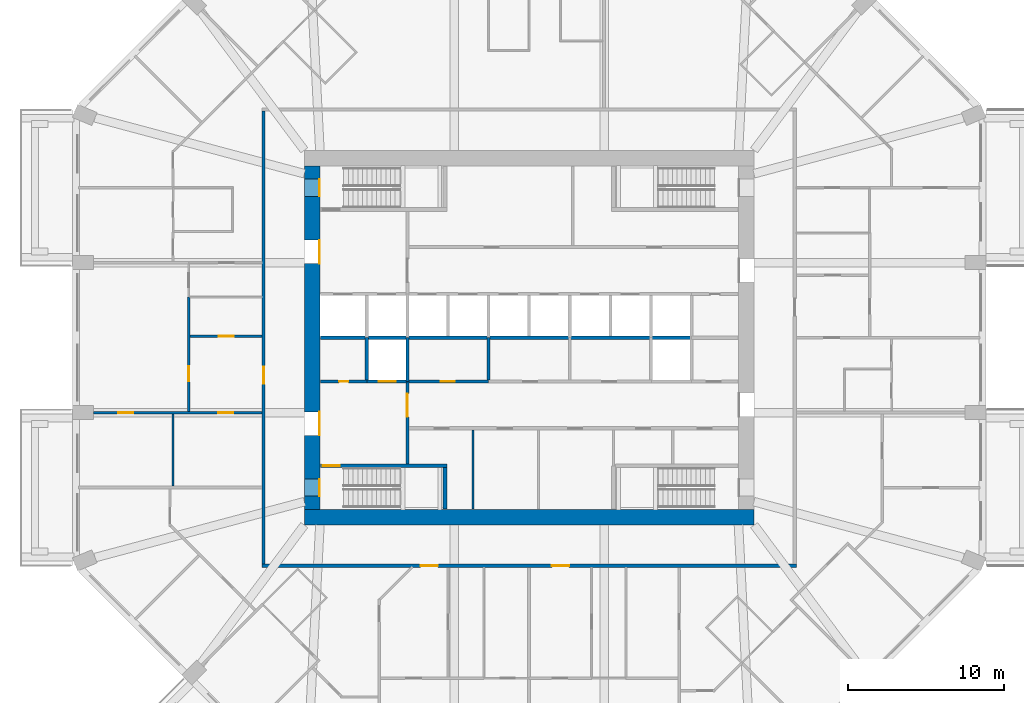
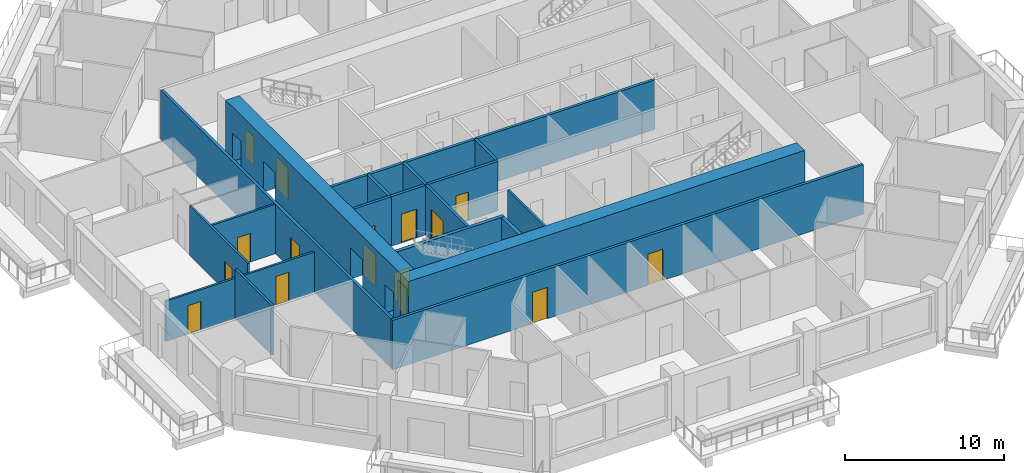
# One storey, part 4 of 13: 19 walls, 16 doors, 16 openings.
"""IFC4 building model written with IfcOpenShell, lengths in metres."""

from ifc_helpers import new_model, si_unit, direction, frame, frame_2d, origin, place, context, subcontext, project, spatial, rectangle, extrude, material, layer, layer_set, type_object, element, fill, save


model = new_model("IFC4")

# Units and contexts
model_context = context("Model", 3, precision=1e-05, world=origin(), true_north=direction((0.0, 1.0)))
body_context = subcontext(model_context, "Body", "Model", "MODEL_VIEW")
ifc_project = project(units=[si_unit("LENGTHUNIT", "METRE"), si_unit("AREAUNIT", "SQUARE_METRE"), si_unit("VOLUMEUNIT", "CUBIC_METRE"), si_unit("PLANEANGLEUNIT", "RADIAN"), si_unit("MASSUNIT", "GRAM", prefix="KILO")], contexts=[model_context])

# Site, building, storey
site_placement = place(None, origin())
site = spatial("IfcSite", under=ifc_project, at=site_placement, CompositionType="ELEMENT")
building_placement = place(site_placement, origin())
building = spatial("IfcBuilding", under=site, at=building_placement, Name="Msitu Wima Residences", CompositionType="ELEMENT")
storey_placement = place(building_placement, frame((0.0, 0.0, 92.699951171875)))
storey = spatial("IfcBuildingStorey", under=building, at=storey_placement, Name="L21", CompositionType="ELEMENT", Elevation=92.699951171875)

# Wall
ifc_material_1 = material(Name="Concrete C80/95", Category="concrete")
ifc_layer_1 = layer(ifc_material_1, 1.0)
ifc_layer_set_1 = layer_set([ifc_layer_1], Name="Concrete C80/95")
wall_type_1 = type_object("IfcWallType", Name="Core wall CW1000 C80/95", PredefinedType="SHEAR", material=ifc_layer_set_1)
wall_1_placement = place(storey_placement, frame((-14.39990234375, -11.5, 0.0), z_axis=(0.0, 0.0, 1.0), x_axis=(1.0, 0.0, 0.0)))
element("IfcWall", 1, at=wall_1_placement, inside=storey, type_object=wall_type_1, Name="Core wall", PredefinedType="SHEAR", context=body_context, shape_type="SweptSolid", body=[
    extrude(rectangle(XDim=28.7998046875, YDim=1.0, at=frame_2d((14.39990234375, 0.0))), origin(), (0.0, 0.0, 1.0), 4.199951171875),
])

# Wall, openings, doors
wall_2_placement = place(storey_placement, frame((-13.89990234375, -11.0, 0.0), z_axis=(0.0, 0.0, 1.0), x_axis=(0.0, 1.0, 0.0)))
wall_2 = element("IfcWall", 2, at=wall_2_placement, inside=storey, type_object=wall_type_1, Name="Core wall", PredefinedType="SHEAR", context=body_context, shape_type="SweptSolid", body=[
    extrude(rectangle(XDim=22.0, YDim=1.0, at=frame_2d((11.0, 0.0))), origin(), (0.0, 0.0, 1.0), 4.199951171875),
])
opening_1_placement = place(wall_2_placement, frame((20.050048828125, 0.0, 0.0)))
opening_1 = element("IfcOpeningElement", 3, at=opening_1_placement, cuts=wall_2, Name="Opening D21.034", PredefinedType="OPENING", context=body_context, shape_type="SweptSolid", body=[
    extrude(rectangle(XDim=1.10009765625, YDim=2.199951171875, at=frame_2d((0.550048828125, 1.10009765625))), frame((0.0, 0.510009765625, 0.0), z_axis=(0.0, -1.0, 0.0), x_axis=(1.0, 0.0, 0.0)), (0.0, 0.0, 1.0), 1.02001953125),
])
opening_2_placement = place(wall_2_placement, frame((0.85009765625, 0.0, 0.0)))
opening_2 = element("IfcOpeningElement", 4, at=opening_2_placement, cuts=wall_2, Name="Opening D21.036", PredefinedType="OPENING", context=body_context, shape_type="SweptSolid", body=[
    extrude(rectangle(XDim=1.10009765625, YDim=2.199951171875, at=frame_2d((0.550048828125, 1.10009765625))), frame((0.0, 0.510009765625, 0.0), z_axis=(0.0, -1.0, 0.0), x_axis=(1.0, 0.0, 0.0)), (0.0, 0.0, 1.0), 1.02001953125),
])
opening_3_placement = place(wall_2_placement, frame((15.75, 0.0, 0.0)))
opening_3 = element("IfcOpeningElement", 5, at=opening_3_placement, cuts=wall_2, Name="Opening D21.016", PredefinedType="OPENING", context=body_context, shape_type="SweptSolid", body=[
    extrude(rectangle(XDim=1.5, YDim=2.39990234375, at=frame_2d((0.75, 1.199951171875))), frame((0.0, 0.510009765625, 0.0), z_axis=(0.0, -1.0, 0.0), x_axis=(1.0, 0.0, 0.0)), (0.0, 0.0, 1.0), 1.02001953125),
])
opening_4_placement = place(wall_2_placement, frame((4.75, 0.0, 0.0)))
opening_4 = element("IfcOpeningElement", 6, at=opening_4_placement, cuts=wall_2, Name="Opening D21.018", PredefinedType="OPENING", context=body_context, shape_type="SweptSolid", body=[
    extrude(rectangle(XDim=1.5, YDim=2.39990234375, at=frame_2d((0.75, 1.199951171875))), frame((0.0, 0.510009765625, 0.0), z_axis=(0.0, -1.0, 0.0), x_axis=(1.0, 0.0, 0.0)), (0.0, 0.0, 1.0), 1.02001953125),
])
ifc_material_2 = material(Name="Steel framed glazed door, fire resisting", Category="steel")
door_type_1 = type_object("IfcDoorType", Name="Lobby door D07 1500x2400", OperationType="DOUBLE_DOOR_SINGLE_SWING", PredefinedType="DOOR", material=ifc_material_2)
door_1_placement = place(opening_3_placement, origin())
door_1 = element("IfcDoor", 7, at=door_1_placement, inside=storey, type_object=door_type_1, Name="Lobby door", OperationType="DOUBLE_DOOR_SINGLE_SWING", OverallHeight=2.39990234375, OverallWidth=1.5, PredefinedType="DOOR", context=body_context, shape_type="SweptSolid", body=[
    extrude(rectangle(XDim=1.5, YDim=2.39990234375, at=frame_2d((0.75, 1.199951171875))), frame((0.0, -0.44482421875, 0.0), z_axis=(0.0, -1.0, 0.0), x_axis=(1.0, 0.0, 0.0)), (0.0, 0.0, 1.0), 0.050048828125),
])
fill(opening_3, door_1)
door_2_placement = place(opening_4_placement, origin())
door_2 = element("IfcDoor", 8, at=door_2_placement, inside=storey, type_object=door_type_1, Name="Lobby door", OperationType="DOUBLE_DOOR_SINGLE_SWING", OverallHeight=2.39990234375, OverallWidth=1.5, PredefinedType="DOOR", context=body_context, shape_type="SweptSolid", body=[
    extrude(rectangle(XDim=1.5, YDim=2.39990234375, at=frame_2d((0.75, 1.199951171875))), frame((0.0, -0.44482421875, 0.0), z_axis=(0.0, -1.0, 0.0), x_axis=(1.0, 0.0, 0.0)), (0.0, 0.0, 1.0), 0.050048828125),
])
fill(opening_4, door_2)
ifc_material_3 = material(Name="Steel door, fire resisting, panic bar", Category="steel")
door_type_2 = type_object("IfcDoorType", Name="Stair door D06 1100x2200", OperationType="SINGLE_SWING_LEFT", PredefinedType="DOOR", material=ifc_material_3)
door_3_placement = place(opening_1_placement, origin())
door_3 = element("IfcDoor", 9, at=door_3_placement, inside=storey, type_object=door_type_2, Name="Stair door", OperationType="SINGLE_SWING_RIGHT", OverallHeight=2.199951171875, OverallWidth=1.10009765625, PredefinedType="DOOR", context=body_context, shape_type="SweptSolid", body=[
    extrude(rectangle(XDim=1.10009765625, YDim=2.199951171875, at=frame_2d((0.550048828125, 1.10009765625))), frame((0.0, -0.44482421875, 0.0), z_axis=(0.0, -1.0, 0.0), x_axis=(1.0, 0.0, 0.0)), (0.0, 0.0, 1.0), 0.050048828125),
])
fill(opening_1, door_3)
door_4_placement = place(opening_2_placement, origin())
door_4 = element("IfcDoor", 10, at=door_4_placement, inside=storey, type_object=door_type_2, Name="Stair door", OperationType="SINGLE_SWING_LEFT", OverallHeight=2.199951171875, OverallWidth=1.10009765625, PredefinedType="DOOR", context=body_context, shape_type="SweptSolid", body=[
    extrude(rectangle(XDim=1.10009765625, YDim=2.199951171875, at=frame_2d((0.550048828125, 1.10009765625))), frame((0.0, -0.44482421875, 0.0), z_axis=(0.0, -1.0, 0.0), x_axis=(1.0, 0.0, 0.0)), (0.0, 0.0, 1.0), 0.050048828125),
])
fill(opening_2, door_4)

# Wall, opening, door
ifc_material_4 = material(Name="Plaster")
ifc_layer_2 = layer(ifc_material_4, 0.011962890625, Name="Plaster")
ifc_material_5 = material(Name="Concrete blockwork", Category="masonry")
ifc_layer_3 = layer(ifc_material_5, 0.176025390625, Name="Concrete blockwork")
ifc_layer_4 = layer(ifc_material_4, 0.011962890625, Name="Plaster")
ifc_layer_set_2 = layer_set([ifc_layer_2, ifc_layer_3, ifc_layer_4], Name="Concrete blockwork")
wall_type_2 = type_object("IfcWallType", Name="Corridor wall FW200", PredefinedType="PARTITIONING", material=ifc_layer_set_2)
wall_3_placement = place(storey_placement, frame((-17.0, -14.5, 0.0), z_axis=(0.0, 0.0, 1.0), x_axis=(0.0, 1.0, 0.0)))
wall_3 = element("IfcWall", 11, at=wall_3_placement, inside=storey, type_object=wall_type_2, Name="Corridor wall", PredefinedType="PARTITIONING", context=body_context, shape_type="SweptSolid", body=[
    extrude(rectangle(XDim=29.0, YDim=0.199951171875, at=frame_2d((14.5, 0.0))), origin(), (0.0, 0.0, 1.0), 3.798095703125),
])
opening_5_placement = place(wall_3_placement, frame((11.550048828125, 0.0, 0.0)))
opening_5 = element("IfcOpeningElement", 12, at=opening_5_placement, cuts=wall_3, Name="Opening D21.012", PredefinedType="OPENING", context=body_context, shape_type="SweptSolid", body=[
    extrude(rectangle(XDim=1.10009765625, YDim=2.39990234375, at=frame_2d((0.550048828125, 1.199951171875))), frame((0.0, 0.10986328125, 0.0), z_axis=(0.0, -1.0, 0.0), x_axis=(1.0, 0.0, 0.0)), (0.0, 0.0, 1.0), 0.219970703125),
])
ifc_material_6 = material(Name="Timber flush door, fire resisting, self-closing", Category="wood")
door_type_3 = type_object("IfcDoorType", Name="Flat entrance door D01 1100x2400", OperationType="SINGLE_SWING_LEFT", PredefinedType="DOOR", material=ifc_material_6)
door_5_placement = place(opening_5_placement, origin())
door_5 = element("IfcDoor", 13, at=door_5_placement, inside=storey, type_object=door_type_3, Name="Flat entrance door", OperationType="SINGLE_SWING_LEFT", OverallHeight=2.39990234375, OverallWidth=1.10009765625, PredefinedType="DOOR", context=body_context, shape_type="SweptSolid", body=[
    extrude(rectangle(XDim=1.10009765625, YDim=2.39990234375, at=frame_2d((0.550048828125, 1.199951171875))), frame((0.0, 0.02490234375, 0.0), z_axis=(0.0, -1.0, 0.0), x_axis=(1.0, 0.0, 0.0)), (0.0, 0.0, 1.0), 0.050048828125),
])
fill(opening_5, door_5)

# Wall, openings, doors
wall_4_placement = place(storey_placement, frame((-17.10009765625, -14.60009765625, 0.0), z_axis=(0.0, 0.0, 1.0), x_axis=(1.0, 0.0, 0.0)))
wall_4 = element("IfcWall", 14, at=wall_4_placement, inside=storey, type_object=wall_type_2, Name="Corridor wall", PredefinedType="PARTITIONING", context=body_context, shape_type="SweptSolid", body=[
    extrude(rectangle(XDim=34.2001953125, YDim=0.199951171875, at=frame_2d((17.10009765625, 0.0))), origin(), (0.0, 0.0, 1.0), 3.798095703125),
])
opening_6_placement = place(wall_4_placement, frame((10.14990234375, 0.0, 0.0)))
opening_6 = element("IfcOpeningElement", 15, at=opening_6_placement, cuts=wall_4, Name="Opening D21.013", PredefinedType="OPENING", context=body_context, shape_type="SweptSolid", body=[
    extrude(rectangle(XDim=1.10009765625, YDim=2.39990234375, at=frame_2d((0.550048828125, 1.199951171875))), frame((0.0, 0.10986328125, 0.0), z_axis=(0.0, -1.0, 0.0), x_axis=(1.0, 0.0, 0.0)), (0.0, 0.0, 1.0), 0.219970703125),
])
opening_7_placement = place(wall_4_placement, frame((18.550048828125, 0.0, 0.0)))
opening_7 = element("IfcOpeningElement", 16, at=opening_7_placement, cuts=wall_4, Name="Opening D21.014", PredefinedType="OPENING", context=body_context, shape_type="SweptSolid", body=[
    extrude(rectangle(XDim=1.10009765625, YDim=2.39990234375, at=frame_2d((0.550048828125, 1.199951171875))), frame((0.0, 0.10986328125, 0.0), z_axis=(0.0, -1.0, 0.0), x_axis=(1.0, 0.0, 0.0)), (0.0, 0.0, 1.0), 0.219970703125),
])
door_6_placement = place(opening_6_placement, origin())
door_6 = element("IfcDoor", 17, at=door_6_placement, inside=storey, type_object=door_type_3, Name="Flat entrance door", OperationType="SINGLE_SWING_RIGHT", OverallHeight=2.39990234375, OverallWidth=1.10009765625, PredefinedType="DOOR", context=body_context, shape_type="SweptSolid", body=[
    extrude(rectangle(XDim=1.10009765625, YDim=2.39990234375, at=frame_2d((0.550048828125, 1.199951171875))), frame((0.0, 0.02490234375, 0.0), z_axis=(0.0, -1.0, 0.0), x_axis=(1.0, 0.0, 0.0)), (0.0, 0.0, 1.0), 0.050048828125),
])
fill(opening_6, door_6)
door_7_placement = place(opening_7_placement, origin())
door_7 = element("IfcDoor", 18, at=door_7_placement, inside=storey, type_object=door_type_3, Name="Flat entrance door", OperationType="SINGLE_SWING_RIGHT", OverallHeight=2.39990234375, OverallWidth=1.10009765625, PredefinedType="DOOR", context=body_context, shape_type="SweptSolid", body=[
    extrude(rectangle(XDim=1.10009765625, YDim=2.39990234375, at=frame_2d((0.550048828125, 1.199951171875))), frame((0.0, 0.02490234375, 0.0), z_axis=(0.0, -1.0, 0.0), x_axis=(1.0, 0.0, 0.0)), (0.0, 0.0, 1.0), 0.050048828125),
])
fill(opening_7, door_7)

# Wall, opening, door
wall_5_placement = place(storey_placement, frame((-7.800048828125, -8.074951171875, 0.0), z_axis=(0.0, 0.0, 1.0), x_axis=(0.0, 1.0, 0.0)))
wall_5 = element("IfcWall", 19, at=wall_5_placement, inside=storey, type_object=wall_type_2, Name="Corridor wall", PredefinedType="PARTITIONING", context=body_context, shape_type="SweptSolid", body=[
    extrude(rectangle(XDim=5.27490234375, YDim=0.199951171875, at=frame_2d((2.637451171875, 0.0))), origin(), (0.0, 0.0, 1.0), 3.798095703125),
])
opening_8_placement = place(wall_5_placement, frame((3.0, 0.0, 0.0)))
opening_8 = element("IfcOpeningElement", 20, at=opening_8_placement, cuts=wall_5, Name="Opening D21.019", PredefinedType="OPENING", context=body_context, shape_type="SweptSolid", body=[
    extrude(rectangle(XDim=1.5, YDim=2.39990234375, at=frame_2d((0.75, 1.199951171875))), frame((0.0, 0.10986328125, 0.0), z_axis=(0.0, -1.0, 0.0), x_axis=(1.0, 0.0, 0.0)), (0.0, 0.0, 1.0), 0.219970703125),
])
door_8_placement = place(opening_8_placement, origin())
door_8 = element("IfcDoor", 21, at=door_8_placement, inside=storey, type_object=door_type_1, Name="Lobby door", OperationType="DOUBLE_DOOR_SINGLE_SWING", OverallHeight=2.39990234375, OverallWidth=1.5, PredefinedType="DOOR", context=body_context, shape_type="SweptSolid", body=[
    extrude(rectangle(XDim=1.5, YDim=2.39990234375, at=frame_2d((0.75, 1.199951171875))), frame((0.0, 0.02490234375, 0.0), z_axis=(0.0, -1.0, 0.0), x_axis=(1.0, 0.0, 0.0)), (0.0, 0.0, 1.0), 0.050048828125),
])
fill(opening_8, door_8)

# Wall, openings, doors
ifc_layer_5 = layer(ifc_material_4, 0.011962890625, Name="Plaster")
ifc_layer_6 = layer(ifc_material_5, 0.1259765625, Name="Concrete blockwork")
ifc_layer_7 = layer(ifc_material_4, 0.011962890625, Name="Plaster")
ifc_layer_set_3 = layer_set([ifc_layer_5, ifc_layer_6, ifc_layer_7], Name="Concrete blockwork")
wall_type_3 = type_object("IfcWallType", Name="Partition PW150", PredefinedType="PARTITIONING", material=ifc_layer_set_3)
wall_6_placement = place(storey_placement, frame((-27.89990234375, -4.800048828125, 0.0), z_axis=(0.0, 0.0, 1.0), x_axis=(1.0, 0.0, 0.0)))
wall_6 = element("IfcWall", 22, at=wall_6_placement, inside=storey, type_object=wall_type_3, Name="Partition", PredefinedType="PARTITIONING", context=body_context, shape_type="SweptSolid", body=[
    extrude(rectangle(XDim=10.7998046875, YDim=0.14990234375, at=frame_2d((5.39990234375, 0.0))), origin(), (0.0, 0.0, 1.0), 3.10009765625),
])
opening_9_placement = place(wall_6_placement, frame((8.0, 0.0, 0.0)))
opening_9 = element("IfcOpeningElement", 23, at=opening_9_placement, cuts=wall_6, Name="Opening D21.046", PredefinedType="OPENING", context=body_context, shape_type="SweptSolid", body=[
    extrude(rectangle(XDim=0.949951171875, YDim=2.199951171875, at=frame_2d((0.47509765625, 1.10009765625))), frame((0.0, 0.0849609375, 0.0), z_axis=(0.0, -1.0, 0.0), x_axis=(1.0, 0.0, 0.0)), (0.0, 0.0, 1.0), 0.169921875),
])
opening_10_placement = place(wall_6_placement, frame((1.60009765625, 0.0, 0.0)))
opening_10 = element("IfcOpeningElement", 24, at=opening_10_placement, cuts=wall_6, Name="Opening D21.048", PredefinedType="OPENING", context=body_context, shape_type="SweptSolid", body=[
    extrude(rectangle(XDim=0.949951171875, YDim=2.199951171875, at=frame_2d((0.47509765625, 1.10009765625))), frame((0.0, 0.0849609375, 0.0), z_axis=(0.0, -1.0, 0.0), x_axis=(1.0, 0.0, 0.0)), (0.0, 0.0, 1.0), 0.169921875),
])
ifc_material_7 = material(Name="Timber flush door", Category="wood")
door_type_4 = type_object("IfcDoorType", Name="Room door D12 950x2200", OperationType="SINGLE_SWING_LEFT", PredefinedType="DOOR", material=ifc_material_7)
door_9_placement = place(opening_9_placement, origin())
door_9 = element("IfcDoor", 25, at=door_9_placement, inside=storey, type_object=door_type_4, Name="Room door", OperationType="SINGLE_SWING_LEFT", OverallHeight=2.199951171875, OverallWidth=0.949951171875, PredefinedType="DOOR", context=body_context, shape_type="SweptSolid", body=[
    extrude(rectangle(XDim=0.949951171875, YDim=2.199951171875, at=frame_2d((0.47509765625, 1.10009765625))), frame((0.0, 0.02490234375, 0.0), z_axis=(0.0, -1.0, 0.0), x_axis=(1.0, 0.0, 0.0)), (0.0, 0.0, 1.0), 0.050048828125),
])
fill(opening_9, door_9)
door_10_placement = place(opening_10_placement, origin())
door_10 = element("IfcDoor", 26, at=door_10_placement, inside=storey, type_object=door_type_4, Name="Room door", OperationType="SINGLE_SWING_LEFT", OverallHeight=2.199951171875, OverallWidth=0.949951171875, PredefinedType="DOOR", context=body_context, shape_type="SweptSolid", body=[
    extrude(rectangle(XDim=0.949951171875, YDim=2.199951171875, at=frame_2d((0.47509765625, 1.10009765625))), frame((0.0, 0.02490234375, 0.0), z_axis=(0.0, -1.0, 0.0), x_axis=(1.0, 0.0, 0.0)), (0.0, 0.0, 1.0), 0.050048828125),
])
fill(opening_10, door_10)

# Wall
wall_7_placement = place(storey_placement, frame((-22.800048828125, -9.5, 0.0), z_axis=(0.0, 0.0, 1.0), x_axis=(0.0, 1.0, 0.0)))
element("IfcWall", 27, at=wall_7_placement, inside=storey, type_object=wall_type_3, Name="Partition", PredefinedType="PARTITIONING", context=body_context, shape_type="SweptSolid", body=[
    extrude(rectangle(XDim=4.625, YDim=0.14990234375, at=frame_2d((2.3125, 0.0))), origin(), (0.0, 0.0, 1.0), 3.798095703125),
])

# Wall, opening, door
wall_8_placement = place(storey_placement, frame((-21.800048828125, -4.72509765625, 0.0), z_axis=(0.0, 0.0, 1.0), x_axis=(0.0, 1.0, 0.0)))
wall_8 = element("IfcWall", 28, at=wall_8_placement, inside=storey, type_object=wall_type_3, Name="Partition", PredefinedType="PARTITIONING", context=body_context, shape_type="SweptSolid", body=[
    extrude(rectangle(XDim=7.34521484375, YDim=0.14990234375, at=frame_2d((3.672607421875, 0.0))), origin(), (0.0, 0.0, 1.0), 3.798095703125),
])
opening_11_placement = place(wall_8_placement, frame((1.949951171875, 0.0, 0.0)))
opening_11 = element("IfcOpeningElement", 29, at=opening_11_placement, cuts=wall_8, Name="Opening D21.045", PredefinedType="OPENING", context=body_context, shape_type="SweptSolid", body=[
    extrude(rectangle(XDim=0.949951171875, YDim=2.199951171875, at=frame_2d((0.47509765625, 1.10009765625))), frame((0.0, 0.0849609375, 0.0), z_axis=(0.0, -1.0, 0.0), x_axis=(1.0, 0.0, 0.0)), (0.0, 0.0, 1.0), 0.169921875),
])
door_11_placement = place(opening_11_placement, origin())
door_11 = element("IfcDoor", 30, at=door_11_placement, inside=storey, type_object=door_type_4, Name="Room door", OperationType="SINGLE_SWING_LEFT", OverallHeight=2.199951171875, OverallWidth=0.949951171875, PredefinedType="DOOR", context=body_context, shape_type="SweptSolid", body=[
    extrude(rectangle(XDim=0.949951171875, YDim=2.199951171875, at=frame_2d((0.47509765625, 1.10009765625))), frame((0.0, 0.02490234375, 0.0), z_axis=(0.0, -1.0, 0.0), x_axis=(1.0, 0.0, 0.0)), (0.0, 0.0, 1.0), 0.050048828125),
])
fill(opening_11, door_11)

wall_9_placement = place(storey_placement, frame((-21.72509765625, 0.10009765625, 0.0), z_axis=(0.0, 0.0, 1.0), x_axis=(1.0, 0.0, 0.0)))
wall_9 = element("IfcWall", 31, at=wall_9_placement, inside=storey, type_object=wall_type_3, Name="Partition", PredefinedType="PARTITIONING", context=body_context, shape_type="SweptSolid", body=[
    extrude(rectangle(XDim=4.625, YDim=0.14990234375, at=frame_2d((2.3125, 0.0))), origin(), (0.0, 0.0, 1.0), 3.798095703125),
])
opening_12_placement = place(wall_9_placement, frame((1.85009765625, 0.0, 0.0)))
opening_12 = element("IfcOpeningElement", 32, at=opening_12_placement, cuts=wall_9, Name="Opening D21.047", PredefinedType="OPENING", context=body_context, shape_type="SweptSolid", body=[
    extrude(rectangle(XDim=0.949951171875, YDim=2.199951171875, at=frame_2d((0.47509765625, 1.10009765625))), frame((0.0, 0.0849609375, 0.0), z_axis=(0.0, -1.0, 0.0), x_axis=(1.0, 0.0, 0.0)), (0.0, 0.0, 1.0), 0.169921875),
])
door_12_placement = place(opening_12_placement, origin())
door_12 = element("IfcDoor", 33, at=door_12_placement, inside=storey, type_object=door_type_4, Name="Room door", OperationType="SINGLE_SWING_RIGHT", OverallHeight=2.199951171875, OverallWidth=0.949951171875, PredefinedType="DOOR", context=body_context, shape_type="SweptSolid", body=[
    extrude(rectangle(XDim=0.949951171875, YDim=2.199951171875, at=frame_2d((0.47509765625, 1.10009765625))), frame((0.0, 0.02490234375, 0.0), z_axis=(0.0, -1.0, 0.0), x_axis=(1.0, 0.0, 0.0)), (0.0, 0.0, 1.0), 0.050048828125),
])
fill(opening_12, door_12)

# Wall
wall_10_placement = place(storey_placement, frame((-3.60009765625, -10.969970703125, 0.0), z_axis=(0.0, 0.0, 1.0), x_axis=(0.0, 1.0, 0.0)))
element("IfcWall", 34, at=wall_10_placement, inside=storey, type_object=wall_type_3, Name="Partition", PredefinedType="PARTITIONING", context=body_context, shape_type="SweptSolid", body=[
    extrude(rectangle(XDim=5.070068359375, YDim=0.14990234375, at=frame_2d((2.53515625, 0.0))), origin(), (0.0, 0.0, 1.0), 3.798095703125),
])

# Wall, opening, door
ifc_layer_8 = layer(ifc_material_4, 0.011962890625, Name="Plaster")
ifc_material_8 = material(Name="Reinforced concrete blockwork", Category="masonry")
ifc_layer_9 = layer(ifc_material_8, 0.176025390625, Name="Reinforced concrete blockwork")
ifc_layer_10 = layer(ifc_material_4, 0.011962890625, Name="Plaster")
ifc_layer_set_4 = layer_set([ifc_layer_8, ifc_layer_9, ifc_layer_10], Name="Reinforced concrete blockwork")
wall_type_4 = type_object("IfcWallType", Name="Plant and riser wall PL200", PredefinedType="PARTITIONING", material=ifc_layer_set_4)
wall_11_placement = place(storey_placement, frame((-13.3701171875, -2.800048828125, 0.0), z_axis=(0.0, 0.0, 1.0), x_axis=(1.0, 0.0, 0.0)))
wall_11 = element("IfcWall", 35, at=wall_11_placement, inside=storey, type_object=wall_type_4, Name="Plant and riser wall", PredefinedType="PARTITIONING", context=body_context, shape_type="SweptSolid", body=[
    extrude(rectangle(XDim=2.990234375, YDim=0.199951171875, at=frame_2d((1.4951171875, 0.0))), origin(), (0.0, 0.0, 1.0), 3.798095703125),
])
opening_13_placement = place(wall_11_placement, frame((1.199951171875, 0.0, 0.0)))
opening_13 = element("IfcOpeningElement", 36, at=opening_13_placement, cuts=wall_11, Name="Opening D21.030", PredefinedType="OPENING", context=body_context, shape_type="SweptSolid", body=[
    extrude(rectangle(XDim=0.60009765625, YDim=2.0, at=frame_2d((0.300048828125, 1.0))), frame((0.0, 0.10986328125, 0.0), z_axis=(0.0, -1.0, 0.0), x_axis=(1.0, 0.0, 0.0)), (0.0, 0.0, 1.0), 0.219970703125),
])
ifc_material_9 = material(Name="Steel access door, fire resisting", Category="steel")
door_type_5 = type_object("IfcDoorType", Name="Riser access door D08 600x2000", OperationType="SINGLE_SWING_LEFT", PredefinedType="DOOR", material=ifc_material_9)
door_13_placement = place(opening_13_placement, origin())
door_13 = element("IfcDoor", 37, at=door_13_placement, inside=storey, type_object=door_type_5, Name="Riser access door", OperationType="SINGLE_SWING_RIGHT", OverallHeight=2.0, OverallWidth=0.60009765625, PredefinedType="DOOR", context=body_context, shape_type="SweptSolid", body=[
    extrude(rectangle(XDim=0.60009765625, YDim=2.0, at=frame_2d((0.300048828125, 1.0))), frame((0.0, 0.02490234375, 0.0), z_axis=(0.0, -1.0, 0.0), x_axis=(1.0, 0.0, 0.0)), (0.0, 0.0, 1.0), 0.050048828125),
])
fill(opening_13, door_13)

wall_12_placement = place(storey_placement, frame((-7.820068359375, -2.800048828125, 0.0), z_axis=(0.0, 0.0, 1.0), x_axis=(1.0, 0.0, 0.0)))
wall_12 = element("IfcWall", 38, at=wall_12_placement, inside=storey, type_object=wall_type_4, Name="Plant and riser wall", PredefinedType="PARTITIONING", context=body_context, shape_type="SweptSolid", body=[
    extrude(rectangle(XDim=5.199951171875, YDim=0.199951171875, at=frame_2d((2.60009765625, 0.0))), origin(), (0.0, 0.0, 1.0), 3.798095703125),
])
opening_14_placement = place(wall_12_placement, frame((2.14990234375, 0.0, 0.0)))
opening_14 = element("IfcOpeningElement", 39, at=opening_14_placement, cuts=wall_12, Name="Opening D21.031", PredefinedType="OPENING", context=body_context, shape_type="SweptSolid", body=[
    extrude(rectangle(XDim=0.89990234375, YDim=2.199951171875, at=frame_2d((0.449951171875, 1.10009765625))), frame((0.0, 0.10986328125, 0.0), z_axis=(0.0, -1.0, 0.0), x_axis=(1.0, 0.0, 0.0)), (0.0, 0.0, 1.0), 0.219970703125),
])
door_type_6 = type_object("IfcDoorType", Name="Service door D05 900x2200", OperationType="SINGLE_SWING_LEFT", PredefinedType="DOOR", material=ifc_material_7)
door_14_placement = place(opening_14_placement, origin())
door_14 = element("IfcDoor", 40, at=door_14_placement, inside=storey, type_object=door_type_6, Name="Service door", OperationType="SINGLE_SWING_LEFT", OverallHeight=2.199951171875, OverallWidth=0.89990234375, PredefinedType="DOOR", context=body_context, shape_type="SweptSolid", body=[
    extrude(rectangle(XDim=0.89990234375, YDim=2.199951171875, at=frame_2d((0.449951171875, 1.10009765625))), frame((0.0, 0.02490234375, 0.0), z_axis=(0.0, -1.0, 0.0), x_axis=(1.0, 0.0, 0.0)), (0.0, 0.0, 1.0), 0.050048828125),
])
fill(opening_14, door_14)

# Walls
wall_13_placement = place(storey_placement, frame((-2.60009765625, -2.699951171875, 0.0), z_axis=(0.0, 0.0, 1.0), x_axis=(0.0, 1.0, 0.0)))
element("IfcWall", 41, at=wall_13_placement, inside=storey, type_object=wall_type_4, Name="Plant and riser wall", PredefinedType="PARTITIONING", context=body_context, shape_type="SweptSolid", body=[
    extrude(rectangle(XDim=2.699951171875, YDim=0.199951171875, at=frame_2d((1.35009765625, 0.0))), origin(), (0.0, 0.0, 1.0), 3.798095703125),
])
ifc_material_10 = material(Name="Fire-rated board")
ifc_layer_11 = layer(ifc_material_10, 0.02490234375, Name="Fire-rated board")
ifc_material_11 = material(Name="Light-gauge stud framing with mineral wool")
ifc_layer_12 = layer(ifc_material_11, 0.14990234375, Name="Light-gauge stud framing with mineral wool")
ifc_layer_13 = layer(ifc_material_10, 0.02490234375, Name="Fire-rated board")
ifc_layer_set_5 = layer_set([ifc_layer_11, ifc_layer_12, ifc_layer_13], Name="Light-gauge stud framing with mineral wool")
wall_type_5 = type_object("IfcWallType", Name="Shaft wall SH200", PredefinedType="PARTITIONING", material=ifc_layer_set_5)
wall_14_placement = place(storey_placement, frame((-13.3701171875, 0.0, 0.0), z_axis=(0.0, 0.0, 1.0), x_axis=(1.0, 0.0, 0.0)))
element("IfcWall", 42, at=wall_14_placement, inside=storey, type_object=wall_type_5, Name="Shaft wall", PredefinedType="PARTITIONING", context=body_context, shape_type="SweptSolid", body=[
    extrude(rectangle(XDim=23.77001953125, YDim=0.199951171875, at=frame_2d((11.885009765625, 0.0))), origin(), (0.0, 0.0, 1.0), 3.798095703125),
])
wall_15_placement = place(storey_placement, frame((-10.39990234375, -2.699951171875, 0.0), z_axis=(0.0, 0.0, 1.0), x_axis=(0.0, 1.0, 0.0)))
element("IfcWall", 43, at=wall_15_placement, inside=storey, type_object=wall_type_5, Name="Shaft wall", PredefinedType="PARTITIONING", context=body_context, shape_type="SweptSolid", body=[
    extrude(rectangle(XDim=2.699951171875, YDim=0.199951171875, at=frame_2d((1.35009765625, 0.0))), origin(), (0.0, 0.0, 1.0), 3.798095703125),
])

# Wall, opening, door
wall_16_placement = place(storey_placement, frame((-10.3798828125, -2.800048828125, 0.0), z_axis=(0.0, 0.0, 1.0), x_axis=(1.0, 0.0, 0.0)))
wall_16 = element("IfcWall", 44, at=wall_16_placement, inside=storey, type_object=wall_type_5, Name="Shaft wall", PredefinedType="PARTITIONING", context=body_context, shape_type="SweptSolid", body=[
    extrude(rectangle(XDim=2.559814453125, YDim=0.199951171875, at=frame_2d((1.27978515625, 0.0))), origin(), (0.0, 0.0, 1.0), 3.798095703125),
])
opening_15_placement = place(wall_16_placement, frame((0.75, 0.0, 0.0)))
opening_15 = element("IfcOpeningElement", 45, at=opening_15_placement, cuts=wall_16, Name="Opening LD", PredefinedType="OPENING", context=body_context, shape_type="SweptSolid", body=[
    extrude(rectangle(XDim=1.10009765625, YDim=2.199951171875, at=frame_2d((0.550048828125, 1.10009765625))), frame((0.0, 0.10986328125, 0.0), z_axis=(0.0, -1.0, 0.0), x_axis=(1.0, 0.0, 0.0)), (0.0, 0.0, 1.0), 0.219970703125),
])
ifc_material_12 = material(Name="Stainless steel centre-opening landing door, rated", Category="steel")
door_type_7 = type_object("IfcDoorType", Name="Lift landing door LD 1100x2200", OperationType="DOUBLE_DOOR_SLIDING", PredefinedType="DOOR", material=ifc_material_12)
door_15_placement = place(opening_15_placement, origin())
door_15 = element("IfcDoor", 46, at=door_15_placement, inside=storey, type_object=door_type_7, Name="Lift landing door LD3", OperationType="DOUBLE_DOOR_SLIDING", OverallHeight=2.199951171875, OverallWidth=1.10009765625, PredefinedType="DOOR", context=body_context, shape_type="SweptSolid", body=[
    extrude(rectangle(XDim=1.10009765625, YDim=2.199951171875, at=frame_2d((0.550048828125, 1.10009765625))), frame((0.0, 0.02490234375, 0.0), z_axis=(0.0, -1.0, 0.0), x_axis=(1.0, 0.0, 0.0)), (0.0, 0.0, 1.0), 0.050048828125),
])
fill(opening_15, door_15)

# Wall
wall_17_placement = place(storey_placement, frame((-7.800048828125, -2.800048828125, 0.0), z_axis=(0.0, 0.0, 1.0), x_axis=(0.0, 1.0, 0.0)))
element("IfcWall", 47, at=wall_17_placement, inside=storey, type_object=wall_type_5, Name="Shaft wall", PredefinedType="PARTITIONING", context=body_context, shape_type="SweptSolid", body=[
    extrude(rectangle(XDim=2.800048828125, YDim=0.199951171875, at=frame_2d((1.39990234375, 0.0))), origin(), (0.0, 0.0, 1.0), 3.798095703125),
])

# Wall, opening, door
ifc_material_13 = material(Name="Concrete C50/60", Category="concrete")
ifc_layer_14 = layer(ifc_material_13, 0.25)
ifc_layer_set_6 = layer_set([ifc_layer_14], Name="Concrete C50/60")
wall_type_6 = type_object("IfcWallType", Name="Stair enclosure wall SW250", PredefinedType="SHEAR", material=ifc_layer_set_6)
wall_18_placement = place(storey_placement, frame((-13.3701171875, -8.199951171875, 0.0), z_axis=(0.0, 0.0, 1.0), x_axis=(1.0, 0.0, 0.0)))
wall_18 = element("IfcWall", 48, at=wall_18_placement, inside=storey, type_object=wall_type_6, Name="Stair enclosure wall", PredefinedType="SHEAR", context=body_context, shape_type="SweptSolid", body=[
    extrude(rectangle(XDim=8.09521484375, YDim=0.25, at=frame_2d((4.047607421875, 0.0))), origin(), (0.0, 0.0, 1.0), 3.798095703125),
])
opening_16_placement = place(wall_18_placement, frame((0.14990234375, 0.0, 0.0)))
opening_16 = element("IfcOpeningElement", 49, at=opening_16_placement, cuts=wall_18, Name="Opening D21.037", PredefinedType="OPENING", context=body_context, shape_type="SweptSolid", body=[
    extrude(rectangle(XDim=1.10009765625, YDim=2.199951171875, at=frame_2d((0.550048828125, 1.10009765625))), frame((0.0, 0.135009765625, 0.0), z_axis=(0.0, -1.0, 0.0), x_axis=(1.0, 0.0, 0.0)), (0.0, 0.0, 1.0), 0.27001953125),
])
door_16_placement = place(opening_16_placement, origin())
door_16 = element("IfcDoor", 50, at=door_16_placement, inside=storey, type_object=door_type_2, Name="Stair door", OperationType="SINGLE_SWING_RIGHT", OverallHeight=2.199951171875, OverallWidth=1.10009765625, PredefinedType="DOOR", context=body_context, shape_type="SweptSolid", body=[
    extrude(rectangle(XDim=1.10009765625, YDim=2.199951171875, at=frame_2d((0.550048828125, 1.10009765625))), frame((0.0, 0.02490234375, 0.0), z_axis=(0.0, -1.0, 0.0), x_axis=(1.0, 0.0, 0.0)), (0.0, 0.0, 1.0), 0.050048828125),
])
fill(opening_16, door_16)

# Wall
wall_19_placement = place(storey_placement, frame((-5.39990234375, -10.969970703125, 0.0), z_axis=(0.0, 0.0, 1.0), x_axis=(0.0, 1.0, 0.0)))
element("IfcWall", 51, at=wall_19_placement, inside=storey, type_object=wall_type_6, Name="Stair enclosure wall", PredefinedType="SHEAR", context=body_context, shape_type="SweptSolid", body=[
    extrude(rectangle(XDim=2.64501953125, YDim=0.25, at=frame_2d((1.322509765625, 0.0))), origin(), (0.0, 0.0, 1.0), 3.798095703125),
])

save(model, "model.ifc")
